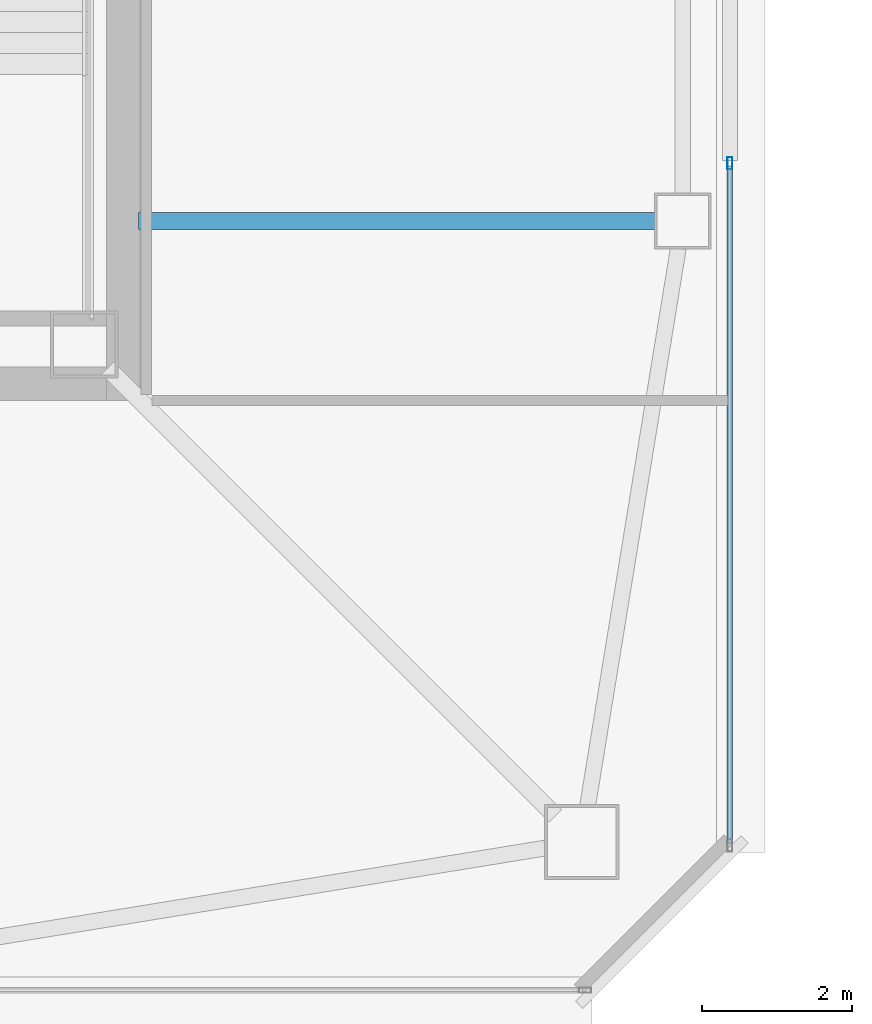
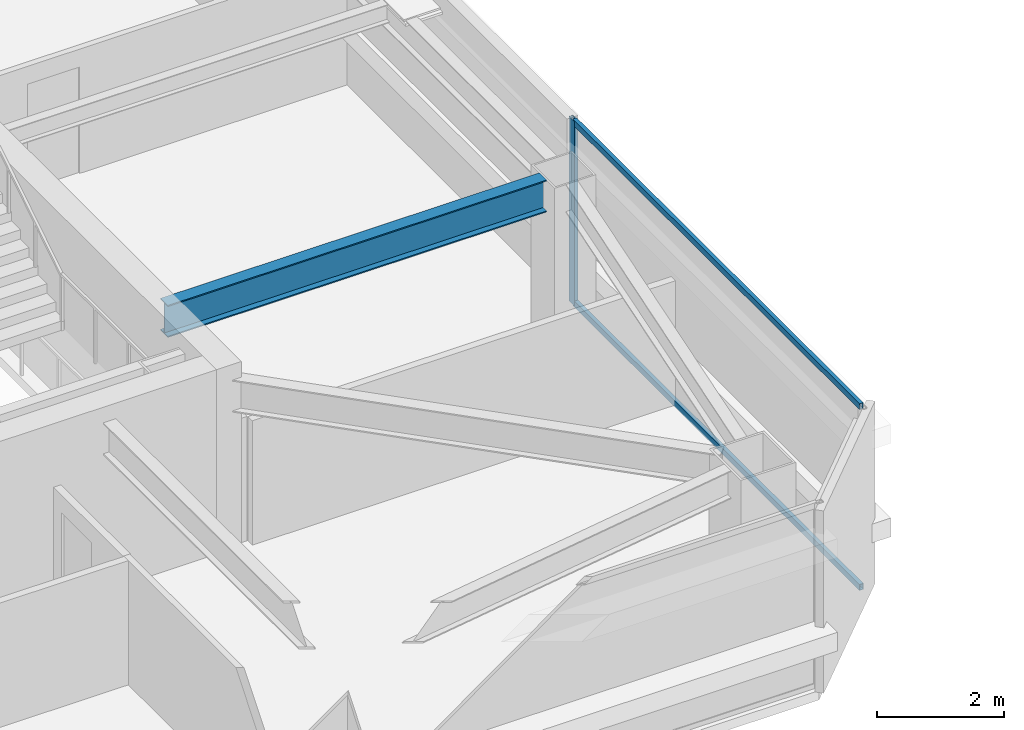
# One storey, part 8 of 39: 3 members, 1 beam, 1 element without a shape of its own.
"""IFC4 building model written with IfcOpenShell, lengths in metres."""

import ifcopenshell
import ifcopenshell.guid

model = None  # the IFC model being written
_history = None  # IfcOwnerHistory: only IFC2X3 demands one
_inside = {}  # id of a spatial element -> (the spatial element, [elements in it])
_under = {}  # id of a project, library or spatial element -> (it, [spatial elements below it])
_declared = {}  # id of a project -> (the project, [libraries it declares])
_typed = {}  # id of a type object -> (the type object, [elements of that type])
_made_of = {}  # id of a material, layer set ... -> (it, [elements and type objects made of it])


def new_model(schema):
    """Start an empty IFC model of exactly this schema.

    Asked for "IFC4X3", IfcOpenShell would pick the latest addendum, in which some entities
    have other attributes; the version numbers below select the first issue.
    IFC2X3 requires an IfcOwnerHistory on every rooted entity: one is made here for all.
    """
    global model, _history
    if schema == "IFC4X3":
        model = ifcopenshell.file(schema_version=(4, 3, 0, 0))
    else:
        model = ifcopenshell.file(schema=schema)
    _inside.clear()
    _under.clear()
    _declared.clear()
    _typed.clear()
    _made_of.clear()
    _history = None
    if model.schema == "IFC2X3":
        org = make("IfcOrganization", Name="unknown")
        user = make(
            "IfcPersonAndOrganization",
            ThePerson=make("IfcPerson", FamilyName="unknown"),
            TheOrganization=org,
        )
        app = make(
            "IfcApplication",
            ApplicationDeveloper=org,
            Version="unknown",
            ApplicationFullName="unknown",
            ApplicationIdentifier="unknown",
        )
        _history = make(
            "IfcOwnerHistory",
            OwningUser=user,
            OwningApplication=app,
            ChangeAction="ADDED",
            CreationDate=0,
        )
    return model


def make(cls, **values):
    """One entity of the class cls with the attributes given. An attribute that is None is left unset."""
    return model.create_entity(
        cls, **{name: value for name, value in values.items() if value is not None}
    )


def rooted(cls, **values):
    """An entity with a GlobalId (a new one), such as an element, a storey or a relation."""
    return make(cls, GlobalId=ifcopenshell.guid.new(), OwnerHistory=_history, **values)


def si_unit(unit_type, name, prefix=None):
    """IfcSIUnit, for example si_unit("LENGTHUNIT", "METRE", prefix="MILLI")."""
    return make("IfcSIUnit", UnitType=unit_type, Prefix=prefix, Name=name)


def assignment(units):
    """IfcUnitAssignment: the units of a project."""
    return None if units is None else make("IfcUnitAssignment", Units=units)


def point(xyz):
    """IfcCartesianPoint."""
    return None if xyz is None else make("IfcCartesianPoint", Coordinates=xyz)


def direction(xyz):
    """IfcDirection."""
    return None if xyz is None else make("IfcDirection", DirectionRatios=xyz)


def frame(location, z_axis=None, x_axis=None):
    """IfcAxis2Placement3D, a coordinate frame: its origin and axes. An axis left out is left unset."""
    return make(
        "IfcAxis2Placement3D",
        Location=point(location),
        Axis=direction(z_axis),
        RefDirection=direction(x_axis),
    )


def frame_2d(location, x_axis=None):
    """IfcAxis2Placement2D, a coordinate frame in the plane: its origin and x axis."""
    return make(
        "IfcAxis2Placement2D", Location=point(location), RefDirection=direction(x_axis)
    )


def origin():
    """The frame at (0, 0, 0) with its axes left unset."""
    return frame((0.0, 0.0, 0.0))


def origin_2d():
    """The frame at (0, 0) in the plane with its x axis left unset."""
    return frame_2d((0.0, 0.0))


def place(relative_to, where):
    """IfcLocalPlacement: puts the frame where relative to a parent placement (None: the world)."""
    return make(
        "IfcLocalPlacement", PlacementRelTo=relative_to, RelativePlacement=where
    )


def context(
    kind, dimensions, precision=None, world=None, true_north=None, identifier=None
):
    """IfcGeometricRepresentationContext, for example the 3D "Model" context."""
    return make(
        "IfcGeometricRepresentationContext",
        ContextIdentifier=identifier,
        ContextType=kind,
        CoordinateSpaceDimension=dimensions,
        Precision=precision,
        WorldCoordinateSystem=world,
        TrueNorth=true_north,
    )


def subcontext(parent, identifier, kind, view, scale=None):
    """IfcGeometricRepresentationSubContext, for example "Body" below "Model"."""
    return make(
        "IfcGeometricRepresentationSubContext",
        ContextIdentifier=identifier,
        ContextType=kind,
        ParentContext=parent,
        TargetScale=scale,
        TargetView=view,
    )


def project(units=None, contexts=None):
    """IfcProject with its units and contexts."""
    return rooted(
        "IfcProject",
        Name="project",
        RepresentationContexts=contexts,
        UnitsInContext=assignment(units),
    )


def spatial(cls, under=None, at=None, **own):
    """A site, building, storey or space (cls), placed at a placement, below another one or the project."""
    s = rooted(cls, ObjectPlacement=at, **own)
    if under is not None:
        _under.setdefault(under.id(), (under, []))[1].append(s)
    return s


def profile(cls, at=None, kind="AREA", **sizes):
    """A parametric profile (cls). Its sizes go by their IFC names, for example OverallWidth=200.0."""
    return make(cls, ProfileType=kind, Position=at, **sizes)


def hollow_rectangle(**sizes):
    """IfcRectangleHollowProfileDef."""
    return profile("IfcRectangleHollowProfileDef", **sizes)


def i_section(**sizes):
    """IfcIShapeProfileDef."""
    return profile("IfcIShapeProfileDef", **sizes)


def extrude(swept, where, along, depth):
    """IfcExtrudedAreaSolid: the profile swept, set in the frame where, extruded along a direction by depth."""
    return make(
        "IfcExtrudedAreaSolid",
        SweptArea=swept,
        Position=where,
        ExtrudedDirection=direction(along),
        Depth=depth,
    )


def shape(context_of_items, identifier, shape_type, items):
    """IfcShapeRepresentation: the items that make up one representation, for example the "Body"."""
    return make(
        "IfcShapeRepresentation",
        ContextOfItems=context_of_items,
        RepresentationIdentifier=identifier,
        RepresentationType=shape_type,
        Items=items,
    )


def material(Name=None, Category=None):
    """IfcMaterial."""
    return make("IfcMaterial", Name=Name, Category=Category)


def material_profile(
    of_material, cross_section, Name=None, Category=None, Priority=None
):
    """IfcMaterialProfile: a cross section and its material."""
    return make(
        "IfcMaterialProfile",
        Name=Name,
        Material=of_material,
        Profile=cross_section,
        Priority=Priority,
        Category=Category,
    )


def profile_set(profiles, Name=None, composite=None):
    """IfcMaterialProfileSet."""
    return make(
        "IfcMaterialProfileSet",
        Name=Name,
        MaterialProfiles=profiles,
        CompositeProfile=composite,
    )


def made_of(thing, what):
    """Note that an element or type object is made of a material, layer set ...; save() writes the relation."""
    if what is not None:
        _made_of.setdefault(what.id(), (what, []))[1].append(thing)
    return thing


def type_object(cls, material=None, **own):
    """A type object (cls), such as IfcWallType, which elements share."""
    return made_of(rooted(cls, **own), material)


def element(
    cls,
    number,
    at=None,
    inside=None,
    cuts=None,
    type_object=None,
    material=None,
    context=None,
    identifier="Body",
    shape_type=None,
    held_by="IfcProductDefinitionShape",
    body=None,
    shapes=None,
    **own,
):
    """One element of the class cls, such as IfcWall. Its Tag is "e" and its number.

    at: its placement. inside: the storey or other place that contains it. cuts: it is an
    opening in that element (IfcRelVoidsElement). A single representation is given by context,
    identifier, shape_type and body (its items); several are given by shapes. held_by: the class
    of the entity that holds the representations. save() writes the other relations.
    """
    e = rooted(cls, Tag="e%d" % number, ObjectPlacement=at, **own)
    if body is not None:
        shapes = [shape(context, identifier, shape_type, body)]
    if shapes is not None:
        e.Representation = make(held_by, Representations=shapes)
    if inside is not None:
        _inside.setdefault(inside.id(), (inside, []))[1].append(e)
    if cuts is not None:
        rooted(
            "IfcRelVoidsElement", RelatingBuildingElement=cuts, RelatedOpeningElement=e
        )
    if type_object is not None:
        _typed.setdefault(type_object.id(), (type_object, []))[1].append(e)
    return made_of(e, material)


def aggregate(whole, parts):
    """IfcRelAggregates: a whole, such as a stair, and the parts it consists of."""
    return rooted("IfcRelAggregates", RelatingObject=whole, RelatedObjects=parts)


def save(model, path):
    """Write the relations noted so far, then the file.

    IfcRelAggregates (storeys below a building ...), IfcRelContainedInSpatialStructure (elements
    in a storey), IfcRelDefinesByType, IfcRelAssociatesMaterial and IfcRelDeclares: one each for
    every whole, place, type object, material and project.
    """
    for whole, parts in _under.values():
        aggregate(whole, parts)
    for where, things in _inside.values():
        rooted(
            "IfcRelContainedInSpatialStructure",
            RelatedElements=things,
            RelatingStructure=where,
        )
    for kind, things in _typed.values():
        rooted("IfcRelDefinesByType", RelatedObjects=things, RelatingType=kind)
    for what, things in _made_of.values():
        rooted("IfcRelAssociatesMaterial", RelatedObjects=things, RelatingMaterial=what)
    for by, libraries in _declared.values():
        rooted("IfcRelDeclares", RelatingContext=by, RelatedDefinitions=libraries)
    model.write(path)


model = new_model("IFC4")

# Units and contexts
model_context = context("Model", 3, precision=1e-05, world=origin(), true_north=direction((0.0, 1.0)))
body_context = subcontext(model_context, "Body", "Model", "MODEL_VIEW")
ifc_project = project(units=[si_unit("LENGTHUNIT", "METRE"), si_unit("AREAUNIT", "SQUARE_METRE"), si_unit("VOLUMEUNIT", "CUBIC_METRE"), si_unit("PLANEANGLEUNIT", "RADIAN"), si_unit("MASSUNIT", "GRAM", prefix="KILO")], contexts=[model_context])

# Site, building, storey
site_placement = place(None, origin())
site = spatial("IfcSite", under=ifc_project, at=site_placement, CompositionType="ELEMENT")
building_placement = place(site_placement, origin())
building = spatial("IfcBuilding", under=site, at=building_placement, Name="Tashvorn Skyway Center", CompositionType="ELEMENT")
storey_placement = place(building_placement, frame((0.0, 0.0, 243.25)))
storey = spatial("IfcBuildingStorey", under=building, at=storey_placement, Name="L66", CompositionType="ELEMENT", Elevation=243.25)

# Beam
ifc_material_1 = material(Name="Steel ASTM A992 Grade 50", Category="steel")
ifc_material_profile_1 = material_profile(ifc_material_1, i_section(OverallWidth=0.22998046875, OverallDepth=0.616943359375, WebThickness=0.01318359375, FlangeThickness=0.022216796875, at=origin_2d()), Name="W24X94")
ifc_profile_set_1 = profile_set([ifc_material_profile_1], Name="Steel ASTM A992 Grade 50")
beam_type = type_object("IfcBeamType", Name="BM-BEAM-W24X94", PredefinedType="BEAM", material=ifc_profile_set_1)
beam_placement = place(storey_placement, frame((56.679931640625, 26.60009765625, 2.94140625), z_axis=(-1.0, 0.0, 0.0), x_axis=(0.0, -1.0, 0.0)))
element("IfcBeam", 1, at=beam_placement, inside=storey, type_object=beam_type, Name="Tower 1 L66 Primary Floor Girder FC-E1", PredefinedType="BEAM", context=body_context, shape_type="SweptSolid", body=[
    extrude(i_section(OverallWidth=0.22998046875, OverallDepth=0.616943359375, WebThickness=0.01318359375, FlangeThickness=0.022216796875, at=origin_2d()), origin(), (0.0, 0.0, 1.0), 6.89990234375),
])

# Curtain wall, members
ifc_material_2 = material(Name="Thermally broken bronze-anodized aluminium 6063-T6", Category="aluminium")
curtain_wall_type = type_object("IfcCurtainWallType", Name="CW-CW-Z5", PredefinedType="NOTDEFINED", material=ifc_material_2)
curtain_wall_placement = place(storey_placement, origin())
curtain_wall = element("IfcCurtainWall", 2, at=curtain_wall_placement, inside=storey, type_object=curtain_wall_type, Name="Tower 1 L66 East Unitised Curtain Wall Glazing Group 2", PredefinedType="NOTDEFINED")
ifc_material_profile_2 = material_profile(ifc_material_2, hollow_rectangle(XDim=0.070068359375, YDim=0.1650390625, WallThickness=0.00390625, at=origin_2d()), Name="ALU-MULL-70x165")
ifc_profile_set_2 = profile_set([ifc_material_profile_2], Name="Thermally broken bronze-anodized aluminium 6063-T6")
member_type_1 = type_object("IfcMemberType", Name="CWM-CW-Z5", PredefinedType="MULLION", material=ifc_profile_set_2)
member_1_placement = place(storey_placement, frame((57.679931640625, 27.37158203125, 0.0), z_axis=(0.0, 0.0, 1.0), x_axis=(1.0, 0.0, 0.0)))
member_1 = element("IfcMember", 3, at=member_1_placement, type_object=member_type_1, Name="CW-Z5 mullion 1", PredefinedType="MULLION", context=body_context, shape_type="SweptSolid", body=[
    extrude(hollow_rectangle(XDim=0.070068359375, YDim=0.1650390625, WallThickness=0.00390625, at=origin_2d()), origin(), (0.0, 0.0, 1.0), 3.550048828125),
])
ifc_material_profile_3 = material_profile(ifc_material_2, hollow_rectangle(XDim=0.070068359375, YDim=0.114990234375, WallThickness=0.00390625, at=origin_2d()), Name="ALU-TRAN-70x115")
ifc_profile_set_3 = profile_set([ifc_material_profile_3], Name="Thermally broken bronze-anodized aluminium 6063-T6")
member_type_2 = type_object("IfcMemberType", Name="CWT-CW-Z5", PredefinedType="USERDEFINED", material=ifc_profile_set_3)
member_2_placement = place(storey_placement, frame((57.679931640625, 27.336669921875, 0.034912109375), z_axis=(0.0, -1.0, 0.0), x_axis=(1.0, 0.0, 0.0)))
member_2 = element("IfcMember", 4, at=member_2_placement, type_object=member_type_2, Name="CW-Z5 transom 1.1", ObjectType="TRANSOM", PredefinedType="USERDEFINED", context=body_context, shape_type="SweptSolid", body=[
    extrude(hollow_rectangle(XDim=0.070068359375, YDim=0.114990234375, WallThickness=0.00390625, at=origin_2d()), origin(), (0.0, 0.0, 1.0), 9.046630859375),
])
member_3_placement = place(storey_placement, frame((57.679931640625, 27.336669921875, 3.514892578125), z_axis=(0.0, -1.0, 0.0), x_axis=(1.0, 0.0, 0.0)))
member_3 = element("IfcMember", 5, at=member_3_placement, type_object=member_type_2, Name="CW-Z5 transom 1.2", ObjectType="TRANSOM", PredefinedType="USERDEFINED", context=body_context, shape_type="SweptSolid", body=[
    extrude(hollow_rectangle(XDim=0.070068359375, YDim=0.114990234375, WallThickness=0.00390625, at=origin_2d()), origin(), (0.0, 0.0, 1.0), 9.046630859375),
])
aggregate(curtain_wall, [member_1, member_2, member_3])

save(model, "model.ifc")
